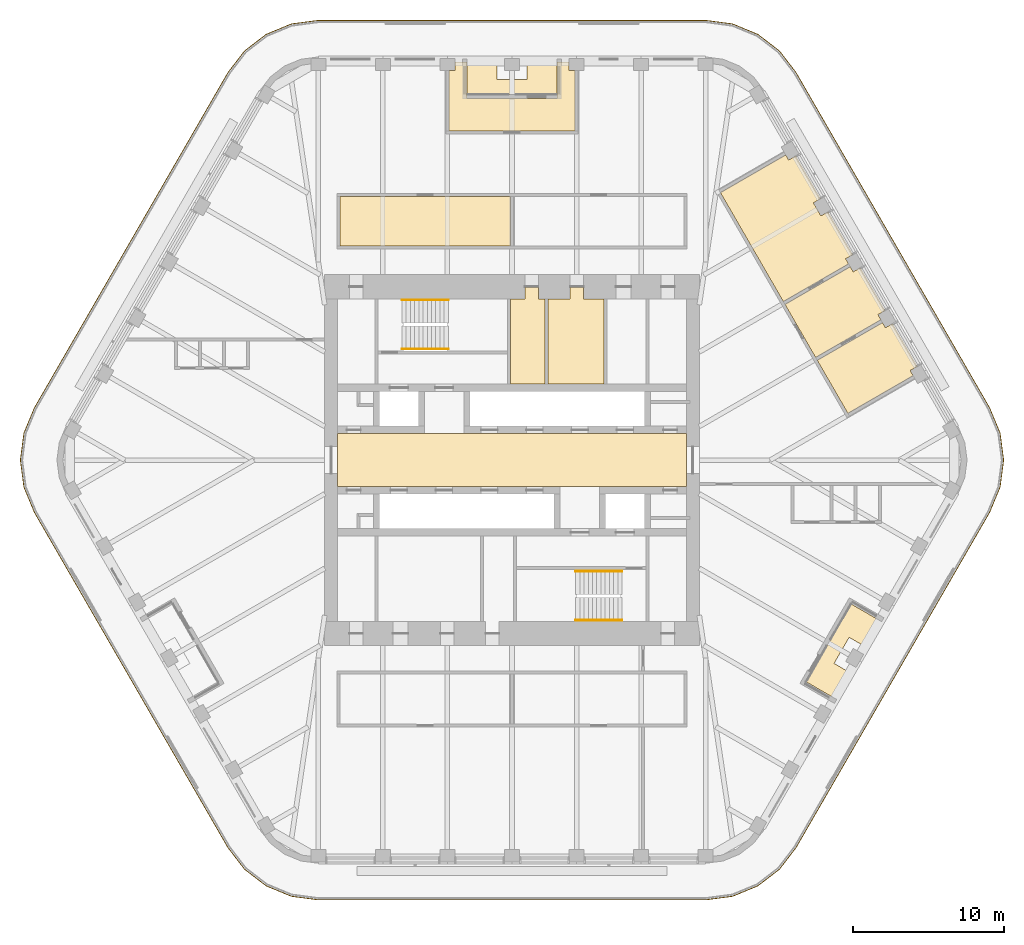
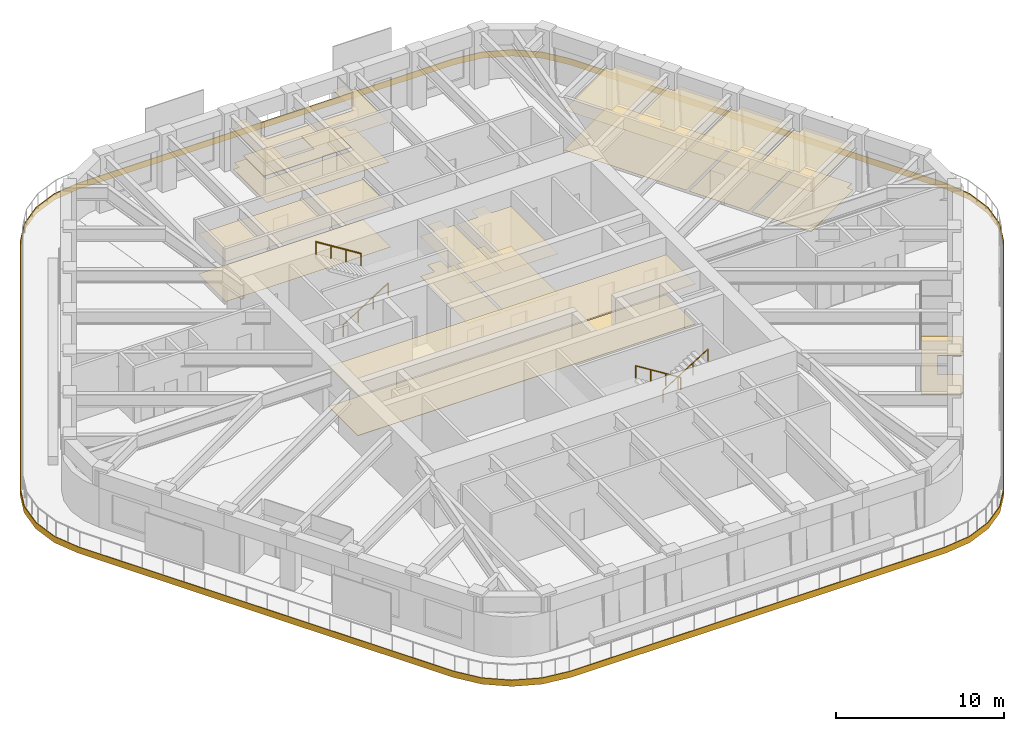
# One storey, part 18 of 19: 11 coverings, 4 railings.
"""IFC4 building model written with IfcOpenShell, lengths in metres."""

from ifc_helpers import new_model, si_unit, direction, frame, origin, origin_2d, place, context, subcontext, project, spatial, polyline, circle, outline, extrude, material, layer, layer_set, type_object, element, save


model = new_model("IFC4")

# Units and contexts
model_context = context("Model", 3, precision=1e-05, world=origin(), true_north=direction((0.0, 1.0)))
body_context = subcontext(model_context, "Body", "Model", "MODEL_VIEW")
ifc_project = project(units=[si_unit("LENGTHUNIT", "METRE"), si_unit("AREAUNIT", "SQUARE_METRE"), si_unit("VOLUMEUNIT", "CUBIC_METRE"), si_unit("PLANEANGLEUNIT", "RADIAN"), si_unit("MASSUNIT", "GRAM", prefix="KILO")], contexts=[model_context])

# Site, building, storey
site_placement = place(None, origin())
site = spatial("IfcSite", under=ifc_project, at=site_placement, CompositionType="ELEMENT")
building_placement = place(site_placement, origin())
building = spatial("IfcBuilding", under=site, at=building_placement, Name="Tarfa Lantern Tower", CompositionType="ELEMENT")
storey_placement = place(building_placement, frame((0.0, 0.0, 349.300048828125)))
storey = spatial("IfcBuildingStorey", under=building, at=storey_placement, Name="L79", CompositionType="ELEMENT", Elevation=349.300048828125)

# Coverings
ifc_material_1 = material(Name="Mineral fibre acoustic tile on suspension grid", Category="finish")
ifc_layer_1 = layer(ifc_material_1, 0.02001953125)
ifc_layer_set_1 = layer_set([ifc_layer_1], Name="CL1 ACOUSTIC TILE CEILING 20")
covering_type_1 = type_object("IfcCoveringType", Name="CL1 ACOUSTIC TILE CEILING 20", PredefinedType="CEILING", material=ifc_layer_set_1)
covering_1_placement = place(storey_placement, frame((0.0, 0.0, 2.89990234375)))
element("IfcCovering", 1, at=covering_1_placement, inside=storey, type_object=covering_type_1, Name="Ceiling L79 CL1", PredefinedType="CEILING", context=body_context, shape_type="SweptSolid", body=[
    extrude(outline(polyline([(18.106689453125, 10.33837890625), (22.436767578125, 12.83837890625), (22.63671875, 12.491943359375), (23.113037109375, 12.76708984375), (24.754150390625, 9.924560546875), (24.27783203125, 9.649658203125), (24.477783203125, 9.30322265625), (20.147705078125, 6.80322265625), (18.106689453125, 10.33837890625)])), origin(), (0.0, 0.0, 1.0), 0.02001953125),
    extrude(outline(polyline([(13.82470703125, 17.755126953125), (18.15478515625, 20.255126953125), (18.354736328125, 19.90869140625), (18.8310546875, 20.18359375), (20.47216796875, 17.34130859375), (19.995849609375, 17.06640625), (20.495849609375, 16.200439453125), (20.97216796875, 16.475341796875), (22.613037109375, 13.633056640625), (22.13671875, 13.35791015625), (22.336669921875, 13.01171875), (18.006591796875, 10.51171875), (13.82470703125, 17.755126953125)])), origin(), (0.0, 0.0, 1.0), 0.02001953125),
    extrude(outline(polyline([(-11.39990234375, 17.5), (-0.10009765625, 17.5), (-0.10009765625, 14.199951171875), (-11.39990234375, 14.199951171875), (-11.39990234375, 17.5)])), origin(), (0.0, 0.0, 1.0), 0.02001953125),
    extrude(outline(polyline([(4.18212890625, 21.85009765625), (-4.18212890625, 21.85009765625), (-4.18212890625, 25.85009765625), (-3.781982421875, 25.85009765625), (-3.781982421875, 26.39990234375), (-2.98193359375, 26.39990234375), (-2.98193359375, 24.0), (2.98193359375, 24.0), (2.98193359375, 26.39990234375), (3.781982421875, 26.39990234375), (3.781982421875, 25.85009765625), (4.18212890625, 25.85009765625), (4.18212890625, 21.85009765625)])), origin(), (0.0, 0.0, 1.0), 0.02001953125),
    extrude(outline(polyline([(20.24755859375, 6.630126953125), (24.577880859375, 9.130126953125), (24.77783203125, 8.78369140625), (25.254150390625, 9.05859375), (26.89501953125, 6.21630859375), (26.418701171875, 5.94140625), (26.61865234375, 5.594970703125), (22.28857421875, 3.094970703125), (20.24755859375, 6.630126953125)])), origin(), (0.0, 0.0, 1.0), 0.02001953125),
])
ifc_material_2 = material(Name="Moisture-resistant plasterboard", Category="finish")
ifc_layer_2 = layer(ifc_material_2, 0.014892578125)
ifc_layer_set_2 = layer_set([ifc_layer_2], Name="CL2 MOISTURE-RESISTANT PLASTERBOARD CEILING 15")
covering_type_2 = type_object("IfcCoveringType", Name="CL2 MOISTURE-RESISTANT PLASTERBOARD CEILING 15", PredefinedType="CEILING", material=ifc_layer_set_2)
covering_2_placement = place(storey_placement, frame((0.0, 0.0, 2.89990234375)))
element("IfcCovering", 2, at=covering_2_placement, inside=storey, type_object=covering_type_2, Name="Ceiling L79-05", PredefinedType="CEILING", context=body_context, shape_type="SweptSolid", body=[
    extrude(outline(polyline([(0.85009765625, 10.699951171875), (-0.10009765625, 10.699951171875), (-0.10009765625, 5.050048828125), (2.199951171875, 5.050048828125), (2.199951171875, 10.699951171875), (1.75, 10.699951171875), (1.75, 11.5), (0.85009765625, 11.5), (0.85009765625, 10.699951171875)])), origin(), (0.0, 0.0, 1.0), 0.01513671875),
])
covering_3_placement = place(storey_placement, frame((0.0, 0.0, 2.89990234375)))
element("IfcCovering", 3, at=covering_3_placement, inside=storey, type_object=covering_type_2, Name="Ceiling L79-06", PredefinedType="CEILING", context=body_context, shape_type="SweptSolid", body=[
    extrude(outline(polyline([(2.39990234375, 5.050048828125), (6.10009765625, 5.050048828125), (6.10009765625, 10.699951171875), (4.75, 10.699951171875), (4.75, 11.5), (3.85009765625, 11.5), (3.85009765625, 10.699951171875), (2.39990234375, 10.699951171875), (2.39990234375, 5.050048828125)])), origin(), (0.0, 0.0, 1.0), 0.01513671875),
])
ifc_material_3 = material(Name="Powder-coated aluminium panel", Category="aluminium")
ifc_layer_3 = layer(ifc_material_3, 0.030029296875)
ifc_layer_set_3 = layer_set([ifc_layer_3], Name="CL3 METAL PANEL CEILING 30")
covering_type_3 = type_object("IfcCoveringType", Name="CL3 METAL PANEL CEILING 30", PredefinedType="CEILING", material=ifc_layer_set_3)
covering_4_placement = place(storey_placement, frame((0.0, 0.0, 2.89990234375)))
element("IfcCovering", 4, at=covering_4_placement, inside=storey, type_object=covering_type_3, Name="Ceiling L79-01", PredefinedType="CEILING", context=body_context, shape_type="SweptSolid", body=[
    extrude(outline(polyline([(-11.574951171875, -1.75), (11.574951171875, -1.75), (11.574951171875, 1.75), (-11.574951171875, 1.75), (-11.574951171875, -1.75)])), origin(), (0.0, 0.0, 1.0), 0.030029296875),
])
ifc_material_4 = material(Name="Nylon carpet tile", Category="finish")
ifc_layer_4 = layer(ifc_material_4, 0.010009765625)
ifc_layer_set_4 = layer_set([ifc_layer_4], Name="FL1 CARPET TILE 10")
covering_type_4 = type_object("IfcCoveringType", Name="FL1 CARPET TILE 10", PredefinedType="FLOORING", material=ifc_layer_set_4)
covering_5_placement = place(storey_placement, origin())
element("IfcCovering", 5, at=covering_5_placement, inside=storey, type_object=covering_type_4, Name="Floor finish L79 FL1", PredefinedType="FLOORING", context=body_context, shape_type="SweptSolid", body=[
    extrude(outline(polyline([(18.106689453125, 10.33837890625), (22.436767578125, 12.83837890625), (22.63671875, 12.491943359375), (23.113037109375, 12.76708984375), (24.754150390625, 9.924560546875), (24.27783203125, 9.649658203125), (24.477783203125, 9.30322265625), (20.147705078125, 6.80322265625), (18.106689453125, 10.33837890625)])), origin(), (0.0, 0.0, 1.0), 0.010009765625),
    extrude(outline(polyline([(13.82470703125, 17.755126953125), (18.15478515625, 20.255126953125), (18.354736328125, 19.90869140625), (18.8310546875, 20.18359375), (20.47216796875, 17.34130859375), (19.995849609375, 17.06640625), (20.495849609375, 16.200439453125), (20.97216796875, 16.475341796875), (22.613037109375, 13.633056640625), (22.13671875, 13.35791015625), (22.336669921875, 13.01171875), (18.006591796875, 10.51171875), (13.82470703125, 17.755126953125)])), origin(), (0.0, 0.0, 1.0), 0.010009765625),
    extrude(outline(polyline([(-11.39990234375, 17.5), (-0.10009765625, 17.5), (-0.10009765625, 14.199951171875), (-11.39990234375, 14.199951171875), (-11.39990234375, 17.5)])), origin(), (0.0, 0.0, 1.0), 0.010009765625),
    extrude(outline(polyline([(4.18212890625, 21.85009765625), (-4.18212890625, 21.85009765625), (-4.18212890625, 25.85009765625), (-3.781982421875, 25.85009765625), (-3.781982421875, 26.39990234375), (-2.98193359375, 26.39990234375), (-2.98193359375, 24.0), (2.98193359375, 24.0), (2.98193359375, 26.39990234375), (3.781982421875, 26.39990234375), (3.781982421875, 25.85009765625), (4.18212890625, 25.85009765625), (4.18212890625, 21.85009765625)])), origin(), (0.0, 0.0, 1.0), 0.010009765625),
    extrude(outline(polyline([(20.24755859375, 6.630126953125), (24.577880859375, 9.130126953125), (24.77783203125, 8.78369140625), (25.254150390625, 9.05859375), (26.89501953125, 6.21630859375), (26.418701171875, 5.94140625), (26.61865234375, 5.594970703125), (22.28857421875, 3.094970703125), (20.24755859375, 6.630126953125)])), origin(), (0.0, 0.0, 1.0), 0.010009765625),
])
ifc_material_5 = material(Name="Honed limestone flooring", Category="masonry")
ifc_layer_5 = layer(ifc_material_5, 0.030029296875)
ifc_layer_set_5 = layer_set([ifc_layer_5], Name="FL2 STONE FLOORING 30")
covering_type_5 = type_object("IfcCoveringType", Name="FL2 STONE FLOORING 30", PredefinedType="FLOORING", material=ifc_layer_set_5)
covering_6_placement = place(storey_placement, origin())
element("IfcCovering", 6, at=covering_6_placement, inside=storey, type_object=covering_type_5, Name="Floor finish L79-01", PredefinedType="FLOORING", context=body_context, shape_type="SweptSolid", body=[
    extrude(outline(polyline([(-11.574951171875, -1.75), (11.574951171875, -1.75), (11.574951171875, 1.75), (-11.574951171875, 1.75), (-11.574951171875, -1.75)])), origin(), (0.0, 0.0, 1.0), 0.030029296875),
])
ifc_material_6 = material(Name="Porcelain floor tile", Category="finish")
ifc_layer_6 = layer(ifc_material_6, 0.011962890625)
ifc_layer_set_6 = layer_set([ifc_layer_6], Name="FL3 CERAMIC TILE 12")
covering_type_6 = type_object("IfcCoveringType", Name="FL3 CERAMIC TILE 12", PredefinedType="FLOORING", material=ifc_layer_set_6)
covering_7_placement = place(storey_placement, origin())
element("IfcCovering", 7, at=covering_7_placement, inside=storey, type_object=covering_type_6, Name="Floor finish L79-05", PredefinedType="FLOORING", context=body_context, shape_type="SweptSolid", body=[
    extrude(outline(polyline([(0.85009765625, 10.699951171875), (-0.10009765625, 10.699951171875), (-0.10009765625, 5.050048828125), (2.199951171875, 5.050048828125), (2.199951171875, 10.699951171875), (1.75, 10.699951171875), (1.75, 11.5), (0.85009765625, 11.5), (0.85009765625, 10.699951171875)])), origin(), (0.0, 0.0, 1.0), 0.011962890625),
])
covering_8_placement = place(storey_placement, origin())
element("IfcCovering", 8, at=covering_8_placement, inside=storey, type_object=covering_type_6, Name="Floor finish L79-06", PredefinedType="FLOORING", context=body_context, shape_type="SweptSolid", body=[
    extrude(outline(polyline([(2.39990234375, 5.050048828125), (6.10009765625, 5.050048828125), (6.10009765625, 10.699951171875), (4.75, 10.699951171875), (4.75, 11.5), (3.85009765625, 11.5), (3.85009765625, 10.699951171875), (2.39990234375, 10.699951171875), (2.39990234375, 5.050048828125)])), origin(), (0.0, 0.0, 1.0), 0.011962890625),
])

# Railings
ifc_material_7 = material(Name="Stainless steel", Category="steel")
railing_type = type_object("IfcRailingType", Name="HR1 HANDRAIL 900", PredefinedType="HANDRAIL", material=ifc_material_7)
railing_1_placement = place(storey_placement, frame((-7.300048828125, 7.3798828125, 0.175048828125)))
element("IfcRailing", 9, at=railing_1_placement, inside=storey, type_object=railing_type, Name="Handrail 1", PredefinedType="HANDRAIL", context=body_context, shape_type="SweptSolid", body=[
    extrude(circle(Radius=0.02392578125, at=origin_2d()), frame((0.0, 0.0, 0.8759765625), z_axis=(0.848028513186, 0.0, 0.529950602248), x_axis=(0.0, 1.0, 0.0)), (0.0, 0.0, 1.0), 3.632080078125),
    extrude(circle(Radius=0.02099609375, at=origin_2d()), frame((0.0, 0.0, 0.0), z_axis=(0.0, 0.0, 1.0), x_axis=(0.0, 1.0, 0.0)), (0.0, 0.0, 1.0), 0.851806640625),
    extrude(circle(Radius=0.02099609375, at=origin_2d()), frame((1.026611328125, 0.0, 0.6416015625), z_axis=(0.0, 0.0, 1.0), x_axis=(0.0, 1.0, 0.0)), (0.0, 0.0, 1.0), 0.851806640625),
    extrude(circle(Radius=0.02099609375, at=origin_2d()), frame((2.053466796875, 0.0, 1.283203125), z_axis=(0.0, 0.0, 1.0), x_axis=(0.0, 1.0, 0.0)), (0.0, 0.0, 1.0), 0.851806640625),
    extrude(circle(Radius=0.02099609375, at=origin_2d()), frame((3.080078125, 0.0, 1.9248046875), z_axis=(0.0, 0.0, 1.0), x_axis=(0.0, 1.0, 0.0)), (0.0, 0.0, 1.0), 0.851806640625),
])
railing_2_placement = place(storey_placement, frame((-4.219970703125, 10.6201171875, 2.27490234375)))
element("IfcRailing", 10, at=railing_2_placement, inside=storey, type_object=railing_type, Name="Handrail 2", PredefinedType="HANDRAIL", context=body_context, shape_type="SweptSolid", body=[
    extrude(circle(Radius=0.02392578125, at=origin_2d()), frame((0.0, 0.0, 0.8759765625), z_axis=(-0.847998304005, 0.0, 0.529998940003), x_axis=(0.0, -1.0, 0.0)), (0.0, 0.0, 1.0), 3.632080078125),
    extrude(circle(Radius=0.02099609375, at=origin_2d()), frame((0.0, 0.0, 0.0), z_axis=(0.0, 0.0, 1.0), x_axis=(0.0, -1.0, 0.0)), (0.0, 0.0, 1.0), 0.851806640625),
    extrude(circle(Radius=0.02099609375, at=origin_2d()), frame((-1.026611328125, 0.0, 0.6416015625), z_axis=(0.0, 0.0, 1.0), x_axis=(0.0, -1.0, 0.0)), (0.0, 0.0, 1.0), 0.851806640625),
    extrude(circle(Radius=0.02099609375, at=origin_2d()), frame((-2.053466796875, 0.0, 1.283447265625), z_axis=(0.0, 0.0, 1.0), x_axis=(0.0, -1.0, 0.0)), (0.0, 0.0, 1.0), 0.851806640625),
    extrude(circle(Radius=0.02099609375, at=origin_2d()), frame((-3.080078125, 0.0, 1.925048828125), z_axis=(0.0, 0.0, 1.0), x_axis=(0.0, -1.0, 0.0)), (0.0, 0.0, 1.0), 0.851806640625),
])
railing_3_placement = place(storey_placement, frame((7.300048828125, -7.3798828125, 0.175048828125)))
element("IfcRailing", 11, at=railing_3_placement, inside=storey, type_object=railing_type, Name="Handrail 1", PredefinedType="HANDRAIL", context=body_context, shape_type="SweptSolid", body=[
    extrude(circle(Radius=0.02392578125, at=origin_2d()), frame((0.0, 0.0, 0.8759765625), z_axis=(-0.848028513186, 0.0, 0.529950602248), x_axis=(0.0, -1.0, 0.0)), (0.0, 0.0, 1.0), 3.632080078125),
    extrude(circle(Radius=0.02099609375, at=origin_2d()), frame((0.0, 0.0, 0.0), z_axis=(0.0, 0.0, 1.0), x_axis=(0.0, -1.0, 0.0)), (0.0, 0.0, 1.0), 0.851806640625),
    extrude(circle(Radius=0.02099609375, at=origin_2d()), frame((-1.026611328125, 0.0, 0.6416015625), z_axis=(0.0, 0.0, 1.0), x_axis=(0.0, -1.0, 0.0)), (0.0, 0.0, 1.0), 0.851806640625),
    extrude(circle(Radius=0.02099609375, at=origin_2d()), frame((-2.053466796875, 0.0, 1.283203125), z_axis=(0.0, 0.0, 1.0), x_axis=(0.0, -1.0, 0.0)), (0.0, 0.0, 1.0), 0.851806640625),
    extrude(circle(Radius=0.02099609375, at=origin_2d()), frame((-3.080078125, 0.0, 1.9248046875), z_axis=(0.0, 0.0, 1.0), x_axis=(0.0, -1.0, 0.0)), (0.0, 0.0, 1.0), 0.851806640625),
])
railing_4_placement = place(storey_placement, frame((4.219970703125, -10.6201171875, 2.27490234375)))
element("IfcRailing", 12, at=railing_4_placement, inside=storey, type_object=railing_type, Name="Handrail 2", PredefinedType="HANDRAIL", context=body_context, shape_type="SweptSolid", body=[
    extrude(circle(Radius=0.02392578125, at=origin_2d()), frame((0.0, 0.0, 0.8759765625), z_axis=(0.847998304005, 0.0, 0.529998940003), x_axis=(0.0, 1.0, 0.0)), (0.0, 0.0, 1.0), 3.632080078125),
    extrude(circle(Radius=0.02099609375, at=origin_2d()), frame((0.0, 0.0, 0.0), z_axis=(0.0, 0.0, 1.0), x_axis=(0.0, 1.0, 0.0)), (0.0, 0.0, 1.0), 0.851806640625),
    extrude(circle(Radius=0.02099609375, at=origin_2d()), frame((1.026611328125, 0.0, 0.6416015625), z_axis=(0.0, 0.0, 1.0), x_axis=(0.0, 1.0, 0.0)), (0.0, 0.0, 1.0), 0.851806640625),
    extrude(circle(Radius=0.02099609375, at=origin_2d()), frame((2.053466796875, 0.0, 1.283447265625), z_axis=(0.0, 0.0, 1.0), x_axis=(0.0, 1.0, 0.0)), (0.0, 0.0, 1.0), 0.851806640625),
    extrude(circle(Radius=0.02099609375, at=origin_2d()), frame((3.080078125, 0.0, 1.925048828125), z_axis=(0.0, 0.0, 1.0), x_axis=(0.0, 1.0, 0.0)), (0.0, 0.0, 1.0), 0.851806640625),
])

# Coverings
ifc_material_8 = material(Name="Porcelain pavers on pedestals", Category="ceramic")
ifc_layer_7 = layer(ifc_material_8, 0.0400390625)
ifc_layer_set_7 = layer_set([ifc_layer_7], Name="LP1 LOGGIA PAVING 40")
covering_type_7 = type_object("IfcCoveringType", Name="LP1 LOGGIA PAVING 40", PredefinedType="FLOORING", material=ifc_layer_set_7)
covering_9_placement = place(storey_placement, origin())
element("IfcCovering", 13, at=covering_9_placement, inside=storey, type_object=covering_type_7, Name="Terrace paving N", PredefinedType="FLOORING", context=body_context, shape_type="SweptSolid", body=[
    extrude(outline(polyline([(2.98193359375, 26.75), (2.98193359375, 24.27001953125), (-2.98193359375, 24.27001953125), (-2.98193359375, 26.75), (-1.0, 26.75), (-1.0, 25.25), (1.0, 25.25), (1.0, 26.75), (2.98193359375, 26.75)])), origin(), (0.0, 0.0, 1.0), 0.0400390625),
])
covering_10_placement = place(storey_placement, origin())
element("IfcCovering", 14, at=covering_10_placement, inside=storey, type_object=covering_type_7, Name="Terrace paving SE", PredefinedType="FLOORING", context=body_context, shape_type="SweptSolid", body=[
    extrude(outline(polyline([(21.67529296875, -15.95751953125), (19.52734375, -14.717529296875), (22.509521484375, -9.552490234375), (24.6572265625, -10.79248046875), (23.666259765625, -12.509033203125), (22.3671875, -11.759033203125), (21.3671875, -13.490966796875), (22.666259765625, -14.240966796875), (21.67529296875, -15.95751953125)])), origin(), (0.0, 0.0, 1.0), 0.0400390625),
])
ifc_material_9 = material(Name="Limestone cladding on brackets", Category="masonry")
ifc_layer_8 = layer(ifc_material_9, 0.050048828125)
ifc_layer_set_8 = layer_set([ifc_layer_8], Name="SB1 STONE BAND CLADDING 50")
covering_type_8 = type_object("IfcCoveringType", Name="SB1 STONE BAND CLADDING 50", PredefinedType="CLADDING", material=ifc_layer_set_8)
covering_11_placement = place(storey_placement, frame((0.0, 0.0, -0.400146484375)))
element("IfcCovering", 15, at=covering_11_placement, inside=storey, type_object=covering_type_8, Name="Stone band", PredefinedType="CLADDING", context=body_context, shape_type="SweptSolid", body=[
    extrude(outline(polyline([(31.7109375, 3.47509765625), (18.864990234375, 25.72509765625), (17.760498046875, 27.164306640625), (16.321044921875, 28.268798828125), (14.644775390625, 28.963134765625), (12.845947265625, 29.199951171875), (-12.845947265625, 29.199951171875), (-14.644775390625, 28.963134765625), (-16.321044921875, 28.268798828125), (-17.760498046875, 27.164306640625), (-18.864990234375, 25.72509765625), (-31.7109375, 3.47509765625), (-32.4052734375, 1.798828125), (-32.64208984375, 0.0), (-32.4052734375, -1.798828125), (-31.7109375, -3.47509765625), (-18.864990234375, -25.72509765625), (-17.760498046875, -27.164306640625), (-16.321044921875, -28.268798828125), (-14.644775390625, -28.963134765625), (-12.845947265625, -29.199951171875), (12.845947265625, -29.199951171875), (14.644775390625, -28.963134765625), (16.321044921875, -28.268798828125), (17.760498046875, -27.164306640625), (18.864990234375, -25.72509765625), (31.7109375, -3.47509765625), (32.4052734375, -1.798828125), (32.64208984375, 0.0), (32.4052734375, 1.798828125), (31.7109375, 3.47509765625)]), holes=[polyline([(31.667724609375, 3.449951171875), (18.821533203125, 25.699951171875), (17.72509765625, 27.129150390625), (16.296142578125, 28.2255859375), (14.6318359375, 28.914794921875), (12.845947265625, 29.14990234375), (-12.845947265625, 29.14990234375), (-14.6318359375, 28.914794921875), (-16.296142578125, 28.2255859375), (-17.72509765625, 27.129150390625), (-18.821533203125, 25.699951171875), (-31.667724609375, 3.449951171875), (-32.35693359375, 1.785888671875), (-32.592041015625, 0.0), (-32.35693359375, -1.785888671875), (-31.667724609375, -3.449951171875), (-18.821533203125, -25.699951171875), (-17.72509765625, -27.129150390625), (-16.296142578125, -28.2255859375), (-14.6318359375, -28.914794921875), (-12.845947265625, -29.14990234375), (12.845947265625, -29.14990234375), (14.6318359375, -28.914794921875), (16.296142578125, -28.2255859375), (17.72509765625, -27.129150390625), (18.821533203125, -25.699951171875), (31.667724609375, -3.449951171875), (32.35693359375, -1.785888671875), (32.592041015625, 0.0), (32.35693359375, 1.785888671875), (31.667724609375, 3.449951171875)])]), origin(), (0.0, 0.0, 1.0), 0.4501953125),
])

save(model, "model.ifc")
